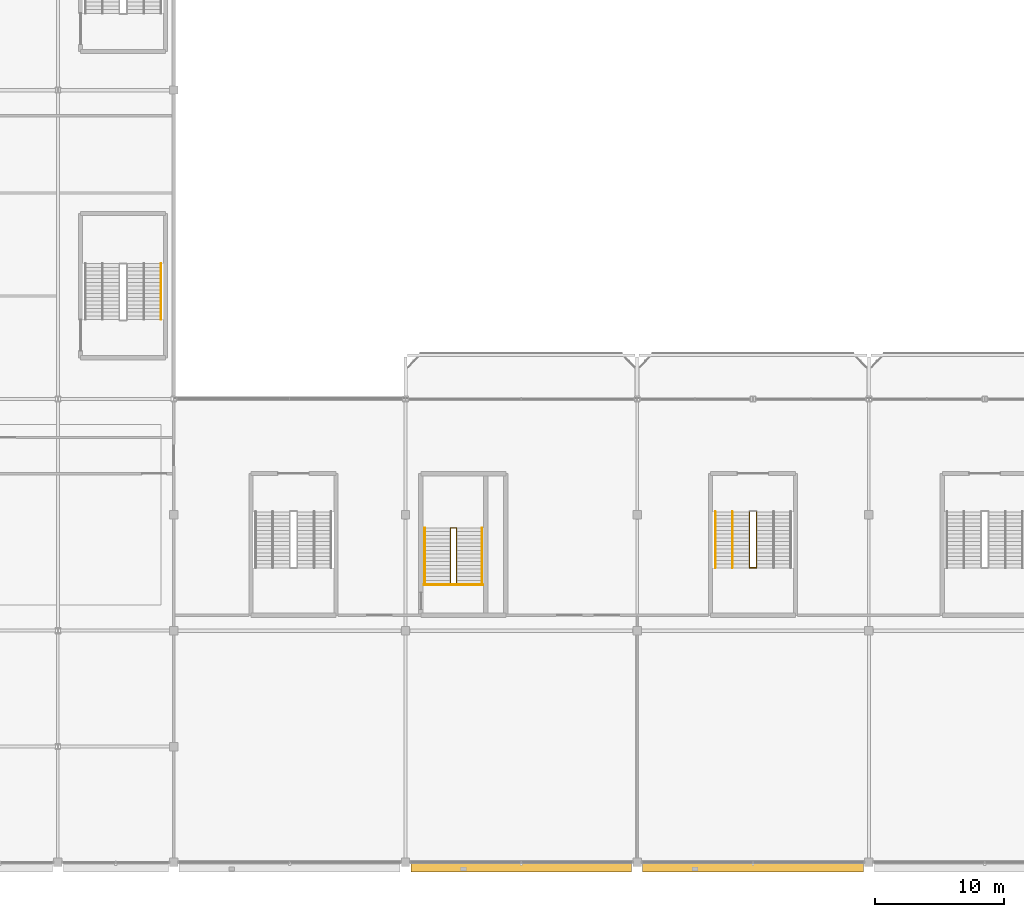
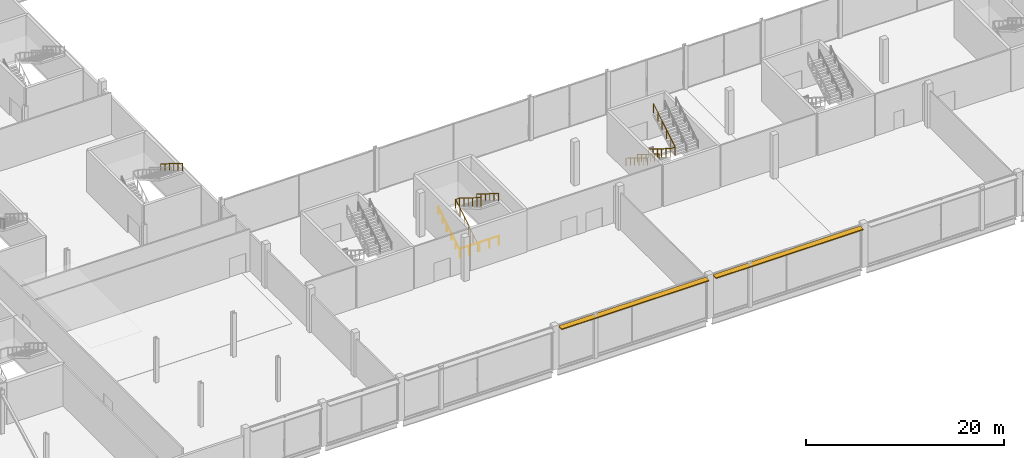
# One storey, part 98 of 113: 8 railings, 2 shading devices.
"""IFC4 building model written with IfcOpenShell, lengths in metres."""

from ifc_helpers import new_model, si_unit, direction, frame, origin, origin_2d, place, context, subcontext, project, spatial, rectangle, circle, extrude, material, type_object, element, save


model = new_model("IFC4")

# Units and contexts
model_context = context("Model", 3, precision=1e-05, world=origin(), true_north=direction((0.0, 1.0)))
body_context = subcontext(model_context, "Body", "Model", "MODEL_VIEW")
ifc_project = project(units=[si_unit("LENGTHUNIT", "METRE"), si_unit("AREAUNIT", "SQUARE_METRE"), si_unit("VOLUMEUNIT", "CUBIC_METRE"), si_unit("PLANEANGLEUNIT", "RADIAN"), si_unit("MASSUNIT", "GRAM", prefix="KILO")], contexts=[model_context])

# Site, building, storey
site_placement = place(None, origin())
site = spatial("IfcSite", under=ifc_project, at=site_placement, CompositionType="ELEMENT")
building_placement = place(site_placement, origin())
building = spatial("IfcBuilding", under=site, at=building_placement, Name="Kisiwana Market Hall", CompositionType="ELEMENT")
storey_placement = place(building_placement, frame((0.0, 0.0, 6.0)))
storey = spatial("IfcBuildingStorey", under=building, at=storey_placement, Name="L01", CompositionType="ELEMENT", Elevation=6.0)

# Railings
ifc_material_1 = material(Name="Steel S275", Category="steel")
railing_type_1 = type_object("IfcRailingType", Name="RL-GUARD-1100", PredefinedType="GUARDRAIL", material=ifc_material_1)
railing_1_placement = place(storey_placement, frame((66.5, 21.62939453125, 0.0)))
element("IfcRailing", 1, at=railing_1_placement, inside=storey, type_object=railing_type_1, Name="Stair ST-S1-L01 inner-well guardrail (RL-327)", PredefinedType="GUARDRAIL", context=body_context, shape_type="SweptSolid", body=[
    extrude(circle(Radius=0.02392578125, at=origin_2d()), frame((0.0, 0.0, 1.076171875), z_axis=(0.0, 0.849649743971, 0.527347430608), x_axis=(-1.0, 0.0, 0.0)), (0.0, 0.0, 1.0), 5.119873046875),
    extrude(circle(Radius=0.02392578125, at=origin_2d()), frame((0.0, 4.35009765625, 3.77587890625), z_axis=(1.0, 0.0, 0.0), x_axis=(0.0, 1.0, 0.0)), (0.0, 0.0, 1.0), 0.4599609375),
    extrude(circle(Radius=0.02392578125, at=origin_2d()), frame((0.4599609375, 4.35009765625, 3.77587890625), z_axis=(0.0, -0.849649743971, 0.527347430608), x_axis=(1.0, 0.0, 0.0)), (0.0, 0.0, 1.0), 5.119873046875),
    extrude(circle(Radius=0.02099609375, at=origin_2d()), origin(), (0.0, 0.0, 1.0), 1.052001953125),
    extrude(circle(Radius=0.02099609375, at=origin_2d()), frame((0.0, 0.8701171875, 0.5400390625)), (0.0, 0.0, 1.0), 1.052001953125),
    extrude(circle(Radius=0.02099609375, at=origin_2d()), frame((0.0, 1.739990234375, 1.080078125)), (0.0, 0.0, 1.0), 1.052001953125),
    extrude(circle(Radius=0.02099609375, at=origin_2d()), frame((0.0, 2.610107421875, 1.619873046875)), (0.0, 0.0, 1.0), 1.052001953125),
    extrude(circle(Radius=0.02099609375, at=origin_2d()), frame((0.0, 3.47998046875, 2.159912109375)), (0.0, 0.0, 1.0), 1.052001953125),
    extrude(circle(Radius=0.02099609375, at=origin_2d()), frame((0.0, 4.35009765625, 2.699951171875)), (0.0, 0.0, 1.0), 1.052001953125),
    extrude(circle(Radius=0.02099609375, at=origin_2d()), frame((0.4599609375, 4.35009765625, 2.699951171875)), (0.0, 0.0, 1.0), 1.052001953125),
    extrude(circle(Radius=0.02099609375, at=origin_2d()), frame((0.4599609375, 3.47998046875, 3.239990234375)), (0.0, 0.0, 1.0), 1.052001953125),
    extrude(circle(Radius=0.02099609375, at=origin_2d()), frame((0.4599609375, 2.610107421875, 3.780029296875)), (0.0, 0.0, 1.0), 1.052001953125),
    extrude(circle(Radius=0.02099609375, at=origin_2d()), frame((0.4599609375, 1.739990234375, 4.31982421875)), (0.0, 0.0, 1.0), 1.052001953125),
    extrude(circle(Radius=0.02099609375, at=origin_2d()), frame((0.4599609375, 0.8701171875, 4.85986328125)), (0.0, 0.0, 1.0), 1.052001953125),
    extrude(circle(Radius=0.02099609375, at=origin_2d()), frame((0.4599609375, 0.0, 5.39990234375)), (0.0, 0.0, 1.0), 1.052001953125),
])
railing_2_placement = place(storey_placement, frame((64.43994140625, 21.569580078125, 0.0)))
element("IfcRailing", 2, at=railing_2_placement, inside=storey, type_object=railing_type_1, Name="Stair ST-S1-L01 landing edge guardrail (RL-330)", PredefinedType="GUARDRAIL", context=body_context, shape_type="SweptSolid", body=[
    extrude(circle(Radius=0.02392578125, at=origin_2d()), frame((0.0, 0.0, 1.076171875), z_axis=(1.0, 0.0, 0.0), x_axis=(0.0, 1.0, 0.0)), (0.0, 0.0, 1.0), 4.580078125),
    extrude(circle(Radius=0.02099609375, at=origin_2d()), origin(), (0.0, 0.0, 1.0), 1.052001953125),
    extrude(circle(Radius=0.02099609375, at=origin_2d()), frame((1.14501953125, 0.0, 0.0)), (0.0, 0.0, 1.0), 1.052001953125),
    extrude(circle(Radius=0.02099609375, at=origin_2d()), frame((2.2900390625, 0.0, 0.0)), (0.0, 0.0, 1.0), 1.052001953125),
    extrude(circle(Radius=0.02099609375, at=origin_2d()), frame((3.43505859375, 0.0, 0.0)), (0.0, 0.0, 1.0), 1.052001953125),
    extrude(circle(Radius=0.02099609375, at=origin_2d()), frame((4.580078125, 0.0, 0.0)), (0.0, 0.0, 1.0), 1.052001953125),
])
railing_3_placement = place(storey_placement, frame((89.719970703125, 27.239990234375, 0.0)))
element("IfcRailing", 3, at=railing_3_placement, inside=storey, type_object=railing_type_1, Name="Stair ST-S4-L01 inner-well guardrail (RL-439)", PredefinedType="GUARDRAIL", context=body_context, shape_type="SweptSolid", body=[
    extrude(circle(Radius=0.02392578125, at=origin_2d()), frame((0.0, 0.0, 1.076171875), z_axis=(0.0, -0.849649743971, 0.527347430608), x_axis=(1.0, 0.0, 0.0)), (0.0, 0.0, 1.0), 5.119873046875),
    extrude(circle(Radius=0.02392578125, at=origin_2d()), frame((0.0, -4.35009765625, 3.77587890625), z_axis=(1.0, 0.0, 0.0), x_axis=(0.0, 1.0, 0.0)), (0.0, 0.0, 1.0), 0.56005859375),
    extrude(circle(Radius=0.02392578125, at=origin_2d()), frame((0.56005859375, -4.35009765625, 3.77587890625), z_axis=(0.0, 0.849649743971, 0.527347430608), x_axis=(-1.0, 0.0, 0.0)), (0.0, 0.0, 1.0), 5.119873046875),
    extrude(circle(Radius=0.02099609375, at=origin_2d()), origin(), (0.0, 0.0, 1.0), 1.052001953125),
    extrude(circle(Radius=0.02099609375, at=origin_2d()), frame((0.0, -0.8701171875, 0.5400390625)), (0.0, 0.0, 1.0), 1.052001953125),
    extrude(circle(Radius=0.02099609375, at=origin_2d()), frame((0.0, -1.739990234375, 1.080078125)), (0.0, 0.0, 1.0), 1.052001953125),
    extrude(circle(Radius=0.02099609375, at=origin_2d()), frame((0.0, -2.610107421875, 1.619873046875)), (0.0, 0.0, 1.0), 1.052001953125),
    extrude(circle(Radius=0.02099609375, at=origin_2d()), frame((0.0, -3.47998046875, 2.159912109375)), (0.0, 0.0, 1.0), 1.052001953125),
    extrude(circle(Radius=0.02099609375, at=origin_2d()), frame((0.0, -4.35009765625, 2.699951171875)), (0.0, 0.0, 1.0), 1.052001953125),
    extrude(circle(Radius=0.02099609375, at=origin_2d()), frame((0.56005859375, -4.35009765625, 2.699951171875)), (0.0, 0.0, 1.0), 1.052001953125),
    extrude(circle(Radius=0.02099609375, at=origin_2d()), frame((0.56005859375, -3.47998046875, 3.239990234375)), (0.0, 0.0, 1.0), 1.052001953125),
    extrude(circle(Radius=0.02099609375, at=origin_2d()), frame((0.56005859375, -2.610107421875, 3.780029296875)), (0.0, 0.0, 1.0), 1.052001953125),
    extrude(circle(Radius=0.02099609375, at=origin_2d()), frame((0.56005859375, -1.739990234375, 4.31982421875)), (0.0, 0.0, 1.0), 1.052001953125),
    extrude(circle(Radius=0.02099609375, at=origin_2d()), frame((0.56005859375, -0.8701171875, 4.85986328125)), (0.0, 0.0, 1.0), 1.052001953125),
    extrude(circle(Radius=0.02099609375, at=origin_2d()), frame((0.56005859375, 0.0, 5.39990234375)), (0.0, 0.0, 1.0), 1.052001953125),
])
ifc_material_2 = material(Name="Steel S275", Category="steel")
railing_type_2 = type_object("IfcRailingType", Name="RL-HAND-900", PredefinedType="HANDRAIL", material=ifc_material_2)
railing_4_placement = place(storey_placement, frame((64.5, 21.62939453125, 0.0)))
element("IfcRailing", 4, at=railing_4_placement, inside=storey, type_object=railing_type_2, Name="Stair ST-S1-L01 flight 1 handrail (RL-328)", PredefinedType="HANDRAIL", context=body_context, shape_type="SweptSolid", body=[
    extrude(circle(Radius=0.02392578125, at=origin_2d()), frame((0.0, 0.0, 0.8759765625), z_axis=(0.0, 0.849649743971, 0.527347430608), x_axis=(-1.0, 0.0, 0.0)), (0.0, 0.0, 1.0), 5.119873046875),
    extrude(circle(Radius=0.02099609375, at=origin_2d()), origin(), (0.0, 0.0, 1.0), 0.851806640625),
    extrude(circle(Radius=0.02099609375, at=origin_2d()), frame((0.0, 0.8701171875, 0.5400390625)), (0.0, 0.0, 1.0), 0.851806640625),
    extrude(circle(Radius=0.02099609375, at=origin_2d()), frame((0.0, 1.739990234375, 1.080078125)), (0.0, 0.0, 1.0), 0.851806640625),
    extrude(circle(Radius=0.02099609375, at=origin_2d()), frame((0.0, 2.610107421875, 1.619873046875)), (0.0, 0.0, 1.0), 0.851806640625),
    extrude(circle(Radius=0.02099609375, at=origin_2d()), frame((0.0, 3.47998046875, 2.159912109375)), (0.0, 0.0, 1.0), 0.851806640625),
    extrude(circle(Radius=0.02099609375, at=origin_2d()), frame((0.0, 4.35009765625, 2.699951171875)), (0.0, 0.0, 1.0), 0.851806640625),
])
for number, where, name in (
    (5, (68.9599609375, 25.9794921875, 2.699951171875), "Stair ST-S1-L01 flight 2 handrail (RL-329)"),
    (6, (44.0, 46.510009765625, 2.699951171875), "Stair ST-W9-L01 flight 2 handrail (RL-393)"),
    (7, (87.070068359375, 27.239990234375, 0.0), "Stair ST-S4-L01 flight 1 handrail (RL-440)"),
    (8, (88.389892578125, 27.239990234375, 0.0), "Stair ST-S4-L01 flight 1 intermediate handrail (RL-442)"),
):
    element("IfcRailing", number, at=place(storey_placement, frame(where)), inside=storey, type_object=railing_type_2, Name=name, PredefinedType="HANDRAIL", context=body_context, shape_type="SweptSolid", body=[
        extrude(circle(Radius=0.02392578125, at=origin_2d()), frame((0.0, 0.0, 0.8759765625), z_axis=(0.0, -0.849649743971, 0.527347430608), x_axis=(1.0, 0.0, 0.0)), (0.0, 0.0, 1.0), 5.119873046875),
        extrude(circle(Radius=0.02099609375, at=origin_2d()), origin(), (0.0, 0.0, 1.0), 0.851806640625),
        extrude(circle(Radius=0.02099609375, at=origin_2d()), frame((0.0, -0.8701171875, 0.5400390625)), (0.0, 0.0, 1.0), 0.851806640625),
        extrude(circle(Radius=0.02099609375, at=origin_2d()), frame((0.0, -1.739990234375, 1.080078125)), (0.0, 0.0, 1.0), 0.851806640625),
        extrude(circle(Radius=0.02099609375, at=origin_2d()), frame((0.0, -2.610107421875, 1.619873046875)), (0.0, 0.0, 1.0), 0.851806640625),
        extrude(circle(Radius=0.02099609375, at=origin_2d()), frame((0.0, -3.47998046875, 2.159912109375)), (0.0, 0.0, 1.0), 0.851806640625),
        extrude(circle(Radius=0.02099609375, at=origin_2d()), frame((0.0, -4.35009765625, 2.699951171875)), (0.0, 0.0, 1.0), 0.851806640625),
    ])

# Shading devices
ifc_material_3 = material(Name="Aluminium alloy 6063-T6", Category="aluminium")
shading_device_type = type_object("IfcShadingDeviceType", Name="SHD-JALOUSIE-H", PredefinedType="JALOUSIE", material=ifc_material_3)
for number, where, z_axis, x_axis, name in (
    (9, (72.0, -0.419921875, 4.969970703125), (0.0, 0.0, 1.0), (1.0, 0.0, 0.0), "Aluminium brise-soleil louvre SHD-012 SD-012"),
    (10, (90.0, -0.419921875, 4.969970703125), (0.0, 0.0, 1.0), (1.0, 0.0, 0.0), "Aluminium brise-soleil louvre SHD-013 SD-013"),
):
    element("IfcShadingDevice", number, at=place(storey_placement, frame(where, z_axis=z_axis, x_axis=x_axis)), inside=storey, type_object=shading_device_type, Name=name, PredefinedType="JALOUSIE", context=body_context, shape_type="SweptSolid", body=[
        extrude(rectangle(XDim=17.14990234375, YDim=0.64990234375, at=origin_2d()), origin(), (0.0, 0.0, 1.0), 0.1201171875),
    ])

save(model, "model.ifc")
